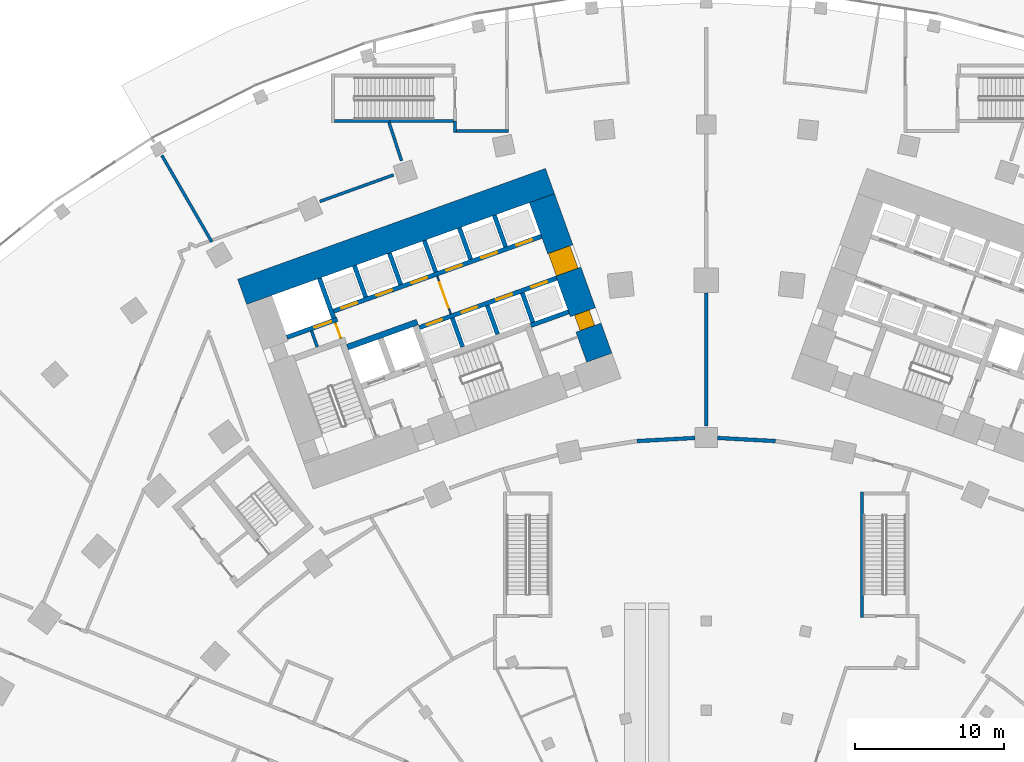
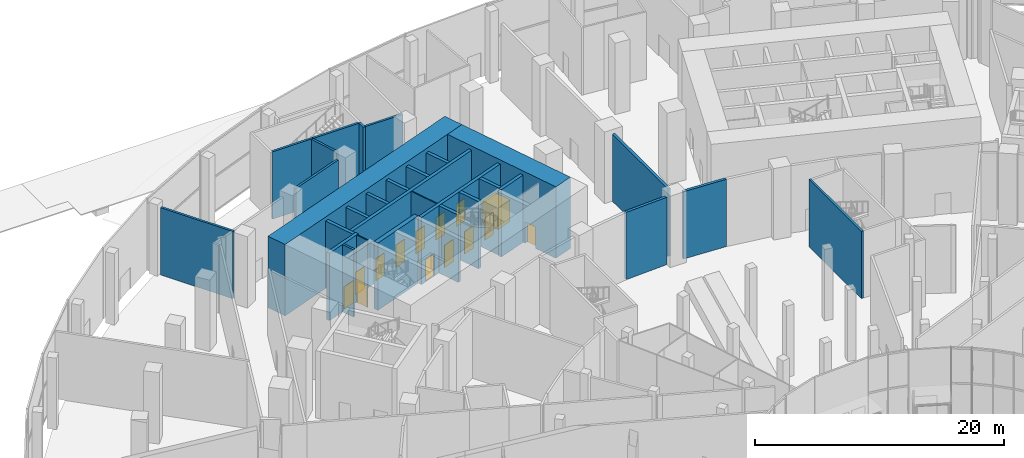
# One storey, part 33 of 60: 30 walls, 15 doors, 15 openings.
"""IFC4 building model written with IfcOpenShell, lengths in metres."""

from ifc_helpers import new_model, si_unit, direction, frame, frame_2d, origin, place, context, subcontext, project, spatial, rectangle, extrude, material, layer, layer_set, type_object, element, fill, save


model = new_model("IFC4")

# Units and contexts
model_context = context("Model", 3, precision=1e-05, world=origin(), true_north=direction((0.0, 1.0)))
body_context = subcontext(model_context, "Body", "Model", "MODEL_VIEW")
ifc_project = project(units=[si_unit("LENGTHUNIT", "METRE"), si_unit("AREAUNIT", "SQUARE_METRE"), si_unit("VOLUMEUNIT", "CUBIC_METRE"), si_unit("PLANEANGLEUNIT", "RADIAN"), si_unit("MASSUNIT", "GRAM", prefix="KILO")], contexts=[model_context])

# Site, building, storey
site_placement = place(None, origin())
site = spatial("IfcSite", under=ifc_project, at=site_placement, CompositionType="ELEMENT")
building_placement = place(site_placement, origin())
building = spatial("IfcBuilding", under=site, at=building_placement, Name="Stone Belt Terrace Tower", CompositionType="ELEMENT")
storey_placement = place(building_placement, origin())
storey = spatial("IfcBuildingStorey", under=building, at=storey_placement, Name="L00", CompositionType="ELEMENT", Elevation=0.0)

# Wall, opening, door
ifc_material_1 = material(Name="Plasterboard partition")
ifc_layer_1 = layer(ifc_material_1, 0.10009765625)
ifc_layer_set_1 = layer_set([ifc_layer_1], Name="Core partition 100")
wall_type_1 = type_object("IfcWallType", Name="Core partition 100", PredefinedType="PARTITIONING", material=ifc_layer_set_1)
wall_1_placement = place(storey_placement, frame((-24.555908203125, 51.10400390625, 0.0), z_axis=(0.0, 0.0, 1.0), x_axis=(-0.338621735342, 0.94092258999, 0.0)))
wall_1 = element("IfcWall", 1, at=wall_1_placement, inside=storey, type_object=wall_type_1, Name="Core A wall", PredefinedType="PARTITIONING", context=body_context, shape_type="SweptSolid", body=[
    extrude(rectangle(XDim=1.14990234375, YDim=0.10009765625, at=frame_2d((0.574951171875, 0.0))), origin(), (0.0, 0.0, 1.0), 6.60009765625),
])
opening_1_placement = place(wall_1_placement, frame((0.050048828125, 0.0, 0.0)))
opening_1 = element("IfcOpeningElement", 2, at=opening_1_placement, cuts=wall_1, Name="Opening L00-C02", PredefinedType="OPENING", context=body_context, shape_type="SweptSolid", body=[
    extrude(rectangle(XDim=1.0, YDim=2.10009765625, at=frame_2d((0.5, 1.050048828125))), frame((0.0, 0.06005859375, 0.0), z_axis=(0.0, -1.0, 0.0), x_axis=(1.0, 0.0, 0.0)), (0.0, 0.0, 1.0), 0.1201171875),
])
ifc_material_2 = material(Name="Timber door leaf", Category="wood")
door_type_1 = type_object("IfcDoorType", Name="Core room door 1000", OperationType="SINGLE_SWING_LEFT", PredefinedType="DOOR", material=ifc_material_2)
door_1_placement = place(opening_1_placement, origin())
door_1 = element("IfcDoor", 3, at=door_1_placement, inside=storey, type_object=door_type_1, Name="Service lift lobby door core A", OperationType="SINGLE_SWING_LEFT", OverallHeight=2.10009765625, OverallWidth=1.0, PredefinedType="DOOR", context=body_context, shape_type="SweptSolid", body=[
    extrude(rectangle(XDim=1.0, YDim=2.10009765625, at=frame_2d((0.5, 1.050048828125))), frame((0.0, 0.02490234375, 0.0), z_axis=(0.0, -1.0, 0.0), x_axis=(1.0, 0.0, 0.0)), (0.0, 0.0, 1.0), 0.050048828125),
])
fill(opening_1, door_1)

wall_2_placement = place(storey_placement, frame((-17.17724609375, 52.749755859375, 0.0), z_axis=(0.0, 0.0, 1.0), x_axis=(-0.338546555931, 0.940949642365, 0.0)))
wall_2 = element("IfcWall", 4, at=wall_2_placement, inside=storey, type_object=wall_type_1, Name="Core A wall", PredefinedType="PARTITIONING", context=body_context, shape_type="SweptSolid", body=[
    extrude(rectangle(XDim=2.699951171875, YDim=0.10009765625, at=frame_2d((1.35009765625, 0.0))), origin(), (0.0, 0.0, 1.0), 6.60009765625),
])
opening_2_placement = place(wall_2_placement, frame((0.449951171875, 0.0, 0.0)))
opening_2 = element("IfcOpeningElement", 5, at=opening_2_placement, cuts=wall_2, Name="Opening L00-C03", PredefinedType="OPENING", context=body_context, shape_type="SweptSolid", body=[
    extrude(rectangle(XDim=1.800048828125, YDim=2.10009765625, at=frame_2d((0.89990234375, 1.050048828125))), frame((0.0, 0.06005859375, 0.0), z_axis=(0.0, -1.0, 0.0), x_axis=(1.0, 0.0, 0.0)), (0.0, 0.0, 1.0), 0.1201171875),
])
ifc_material_3 = material(Name="Glazed aluminium door leaf", Category="aluminium")
door_type_2 = type_object("IfcDoorType", Name="Lift lobby entrance door 1800", OperationType="DOUBLE_DOOR_SINGLE_SWING", PredefinedType="DOOR", material=ifc_material_3)
door_2_placement = place(opening_2_placement, origin())
door_2 = element("IfcDoor", 6, at=door_2_placement, inside=storey, type_object=door_type_2, Name="Lift lobby double door core A", OperationType="DOUBLE_DOOR_SINGLE_SWING", OverallHeight=2.10009765625, OverallWidth=1.800048828125, PredefinedType="DOOR", context=body_context, shape_type="SweptSolid", body=[
    extrude(rectangle(XDim=1.800048828125, YDim=2.10009765625, at=frame_2d((0.89990234375, 1.050048828125))), frame((0.0, 0.02490234375, 0.0), z_axis=(0.0, -1.0, 0.0), x_axis=(1.0, 0.0, 0.0)), (0.0, 0.0, 1.0), 0.050048828125),
])
fill(opening_2, door_2)

# Wall
ifc_material_4 = material(Name="Concrete B80", Category="concrete")
ifc_layer_2 = layer(ifc_material_4, 1.800048828125)
ifc_layer_set_2 = layer_set([ifc_layer_2], Name="Core wall 1800 B80")
wall_type_2 = type_object("IfcWallType", Name="Core wall 1800 B80", PredefinedType="SHEAR", material=ifc_layer_set_2)
wall_3_placement = place(storey_placement, frame((-31.20947265625, 54.23583984375, 0.0), z_axis=(0.0, 0.0, 1.0), x_axis=(0.940922914687, 0.338620833112, 0.0)))
element("IfcWall", 7, at=wall_3_placement, inside=storey, type_object=wall_type_2, Name="Core A wall convex L00", PredefinedType="SHEAR", context=body_context, shape_type="SweptSolid", body=[
    extrude(rectangle(XDim=22.000244140625, YDim=1.800048828125, at=frame_2d((11.0, 0.0))), origin(), (0.0, 0.0, 1.0), 7.0),
])

# Wall, openings, doors
wall_4_placement = place(storey_placement, frame((-7.19091796875, 49.8076171875, 0.0), z_axis=(0.0, 0.0, 1.0), x_axis=(-0.338632255135, 0.940918804033, 0.0)))
wall_4 = element("IfcWall", 8, at=wall_4_placement, inside=storey, type_object=wall_type_2, Name="Core A wall end_b L00", PredefinedType="SHEAR", context=body_context, shape_type="SweptSolid", body=[
    extrude(rectangle(XDim=11.39990234375, YDim=1.800048828125, at=frame_2d((5.699951171875, 0.0))), origin(), (0.0, 0.0, 1.0), 7.0),
])
opening_3_placement = place(wall_4_placement, frame((6.14990234375, 0.0, 0.0)))
opening_3 = element("IfcOpeningElement", 9, at=opening_3_placement, cuts=wall_4, Name="Opening L00-C04", PredefinedType="OPENING", context=body_context, shape_type="SweptSolid", body=[
    extrude(rectangle(XDim=1.60009765625, YDim=2.10009765625, at=frame_2d((0.800048828125, 1.050048828125))), frame((0.0, 0.909912109375, 0.0), z_axis=(0.0, -1.0, 0.0), x_axis=(1.0, 0.0, 0.0)), (0.0, 0.0, 1.0), 1.820068359375),
])
opening_4_placement = place(wall_4_placement, frame((2.14990234375, 0.0, 0.0)))
opening_4 = element("IfcOpeningElement", 10, at=opening_4_placement, cuts=wall_4, Name="Opening L00-C11", PredefinedType="OPENING", context=body_context, shape_type="SweptSolid", body=[
    extrude(rectangle(XDim=1.10009765625, YDim=2.10009765625, at=frame_2d((0.550048828125, 1.050048828125))), frame((0.0, 0.909912109375, 0.0), z_axis=(0.0, -1.0, 0.0), x_axis=(1.0, 0.0, 0.0)), (0.0, 0.0, 1.0), 1.820068359375),
])
door_type_3 = type_object("IfcDoorType", Name="Core room door 1100", OperationType="SINGLE_SWING_LEFT", PredefinedType="DOOR", material=ifc_material_2)
door_3_placement = place(opening_4_placement, origin())
door_3 = element("IfcDoor", 11, at=door_3_placement, inside=storey, type_object=door_type_3, Name="Door to Accessible WC core A", OperationType="SINGLE_SWING_RIGHT", OverallHeight=2.10009765625, OverallWidth=1.10009765625, PredefinedType="DOOR", context=body_context, shape_type="SweptSolid", body=[
    extrude(rectangle(XDim=1.10009765625, YDim=2.10009765625, at=frame_2d((0.550048828125, 1.050048828125))), frame((0.0, 0.60498046875, 0.0), z_axis=(0.0, -1.0, 0.0), x_axis=(1.0, 0.0, 0.0)), (0.0, 0.0, 1.0), 1.050048828125),
])
fill(opening_4, door_3)
door_type_4 = type_object("IfcDoorType", Name="Lift lobby entrance door 1600", OperationType="DOUBLE_DOOR_SINGLE_SWING", PredefinedType="DOOR", material=ifc_material_3)
door_4_placement = place(opening_3_placement, origin())
door_4 = element("IfcDoor", 12, at=door_4_placement, inside=storey, type_object=door_type_4, Name="Lift lobby entrance door core A", OperationType="DOUBLE_DOOR_SINGLE_SWING", OverallHeight=2.10009765625, OverallWidth=1.60009765625, PredefinedType="DOOR", context=body_context, shape_type="SweptSolid", body=[
    extrude(rectangle(XDim=1.60009765625, YDim=2.10009765625, at=frame_2d((0.800048828125, 1.050048828125))), frame((0.0, 0.85498046875, 0.0), z_axis=(0.0, -1.0, 0.0), x_axis=(1.0, 0.0, 0.0)), (0.0, 0.0, 1.0), 1.550048828125),
])
fill(opening_3, door_4)

# Walls
ifc_layer_3 = layer(ifc_material_4, 0.39990234375)
ifc_layer_set_3 = layer_set([ifc_layer_3], Name="Fire-fighting lift shaft wall 400")
wall_type_3 = type_object("IfcWallType", Name="Fire-fighting lift shaft wall 400", PredefinedType="SHEAR", material=ifc_layer_set_3)
wall_5_placement = place(storey_placement, frame((-24.130615234375, 50.512939453125, 0.0), z_axis=(0.0, 0.0, 1.0), x_axis=(0.94091168377, 0.338652038744, 0.0)))
element("IfcWall", 13, at=wall_5_placement, inside=storey, type_object=wall_type_3, Name="Core A wall", PredefinedType="SHEAR", context=body_context, shape_type="SweptSolid", body=[
    extrude(rectangle(XDim=5.000244140625, YDim=0.39990234375, at=frame_2d((2.5, 0.0))), origin(), (0.0, 0.0, 1.0), 6.60009765625),
])
ifc_material_5 = material(Name="Fire-resistant glazing in steel frame", Category="steel")
ifc_layer_4 = layer(ifc_material_5, 0.25)
ifc_layer_set_4 = layer_set([ifc_layer_4], Name="Glazed compartment fire screen 250")
wall_type_4 = type_object("IfcWallType", Name="Glazed compartment fire screen 250", PredefinedType="PARTITIONING", material=ifc_layer_set_4)
wall_6_placement = place(storey_placement, frame((-4.6435546875, 44.2001953125, 0.0), z_axis=(0.0, 0.0, 1.0), x_axis=(0.998555259213, 0.053734479607, 0.0)))
element("IfcWall", 14, at=wall_6_placement, inside=storey, type_object=wall_type_4, Name="Compartment fire screen L00 6", PredefinedType="PARTITIONING", context=body_context, shape_type="SweptSolid", body=[
    extrude(rectangle(XDim=3.880126953125, YDim=0.25, at=frame_2d((1.93994140625, 0.0))), origin(), (0.0, 0.0, 1.0), 6.60009765625),
])
wall_7_placement = place(storey_placement, frame((0.0, 45.215087890625, 0.0), z_axis=(0.0, 0.0, 1.0), x_axis=(0.0, 1.0, 0.0)))
element("IfcWall", 15, at=wall_7_placement, inside=storey, type_object=wall_type_4, Name="Compartment fire screen L00 7", PredefinedType="PARTITIONING", context=body_context, shape_type="SweptSolid", body=[
    extrude(rectangle(XDim=8.93994140625, YDim=0.25, at=frame_2d((4.469970703125, 0.0))), origin(), (0.0, 0.0, 1.0), 6.60009765625),
])
wall_8_placement = place(storey_placement, frame((0.76904296875, 44.40869140625, 0.0), z_axis=(0.0, 0.0, 1.0), x_axis=(0.998555259213, -0.053734479607, 0.0)))
element("IfcWall", 16, at=wall_8_placement, inside=storey, type_object=wall_type_4, Name="Compartment fire screen L00 8", PredefinedType="PARTITIONING", context=body_context, shape_type="SweptSolid", body=[
    extrude(rectangle(XDim=3.880126953125, YDim=0.25, at=frame_2d((1.93994140625, 0.0))), origin(), (0.0, 0.0, 1.0), 6.60009765625),
])

# Wall, opening, door
ifc_layer_5 = layer(ifc_material_4, 0.300048828125)
ifc_layer_set_5 = layer_set([ifc_layer_5], Name="Lift shaft wall 300")
wall_type_5 = type_object("IfcWallType", Name="Lift shaft wall 300", PredefinedType="SHEAR", material=ifc_layer_set_5)
wall_9_placement = place(storey_placement, frame((-28.195068359375, 51.17578125, 0.0), z_axis=(0.0, 0.0, 1.0), x_axis=(0.940901243567, 0.338681044427, 0.0)))
wall_9 = element("IfcWall", 17, at=wall_9_placement, inside=storey, type_object=wall_type_5, Name="Core A wall", PredefinedType="SHEAR", context=body_context, shape_type="SweptSolid", body=[
    extrude(rectangle(XDim=3.599853515625, YDim=0.300048828125, at=frame_2d((1.7998046875, 0.0))), origin(), (0.0, 0.0, 1.0), 6.60009765625),
])
opening_5_placement = place(wall_9_placement, frame((1.969970703125, 0.0, 0.0)))
opening_5 = element("IfcOpeningElement", 18, at=opening_5_placement, cuts=wall_9, Name="Opening L00-LD13", PredefinedType="OPENING", context=body_context, shape_type="SweptSolid", body=[
    extrude(rectangle(XDim=1.199951171875, YDim=2.199951171875, at=frame_2d((0.60009765625, 1.10009765625))), frame((0.0, 0.159912109375, 0.0), z_axis=(0.0, -1.0, 0.0), x_axis=(1.0, 0.0, 0.0)), (0.0, 0.0, 1.0), 0.320068359375),
])
ifc_material_6 = material(Name="Stainless steel door leaf", Category="steel")
door_type_5 = type_object("IfcDoorType", Name="Landing door 1200", OperationType="SLIDING_TO_LEFT", PredefinedType="DOOR", material=ifc_material_6)
door_5_placement = place(opening_5_placement, origin())
door_5 = element("IfcDoor", 19, at=door_5_placement, inside=storey, type_object=door_type_5, Name="Landing door SV1 core A", OperationType="SLIDING_TO_LEFT", OverallHeight=2.199951171875, OverallWidth=1.199951171875, PredefinedType="DOOR", context=body_context, shape_type="SweptSolid", body=[
    extrude(rectangle(XDim=1.199951171875, YDim=2.199951171875, at=frame_2d((0.60009765625, 1.10009765625))), frame((0.0, 0.02490234375, 0.0), z_axis=(0.0, -1.0, 0.0), x_axis=(1.0, 0.0, 0.0)), (0.0, 0.0, 1.0), 0.050048828125),
])
fill(opening_5, door_5)

# Wall
wall_10_placement = place(storey_placement, frame((-25.046875, 52.46826171875, 0.0), z_axis=(0.0, 0.0, 1.0), x_axis=(-0.338549588058, 0.940948551423, 0.0)))
element("IfcWall", 20, at=wall_10_placement, inside=storey, type_object=wall_type_5, Name="Core A wall", PredefinedType="SHEAR", context=body_context, shape_type="SweptSolid", body=[
    extrude(rectangle(XDim=2.849853515625, YDim=0.300048828125, at=frame_2d((1.4248046875, 0.0))), origin(), (0.0, 0.0, 1.0), 6.60009765625),
])

# Wall, openings, doors
wall_11_placement = place(storey_placement, frame((-25.05810546875, 52.9423828125, 0.0), z_axis=(0.0, 0.0, 1.0), x_axis=(0.940918215764, 0.338633889685, 0.0)))
wall_11 = element("IfcWall", 21, at=wall_11_placement, inside=storey, type_object=wall_type_5, Name="Core A wall", PredefinedType="SHEAR", context=body_context, shape_type="SweptSolid", body=[
    extrude(rectangle(XDim=14.850341796875, YDim=0.300048828125, at=frame_2d((7.42529296875, 0.0))), origin(), (0.0, 0.0, 1.0), 6.60009765625),
])
opening_6_placement = place(wall_11_placement, frame((0.570068359375, 0.0, 0.0)))
opening_6 = element("IfcOpeningElement", 22, at=opening_6_placement, cuts=wall_11, Name="Opening L00-LD01", PredefinedType="OPENING", context=body_context, shape_type="SweptSolid", body=[
    extrude(rectangle(XDim=1.10009765625, YDim=2.199951171875, at=frame_2d((0.550048828125, 1.10009765625))), frame((0.0, 0.159912109375, 0.0), z_axis=(0.0, -1.0, 0.0), x_axis=(1.0, 0.0, 0.0)), (0.0, 0.0, 1.0), 0.320068359375),
])
opening_7_placement = place(wall_11_placement, frame((3.070068359375, 0.0, 0.0)))
opening_7 = element("IfcOpeningElement", 23, at=opening_7_placement, cuts=wall_11, Name="Opening L00-LD02", PredefinedType="OPENING", context=body_context, shape_type="SweptSolid", body=[
    extrude(rectangle(XDim=1.10009765625, YDim=2.199951171875, at=frame_2d((0.550048828125, 1.10009765625))), frame((0.0, 0.159912109375, 0.0), z_axis=(0.0, -1.0, 0.0), x_axis=(1.0, 0.0, 0.0)), (0.0, 0.0, 1.0), 0.320068359375),
])
opening_8_placement = place(wall_11_placement, frame((5.570068359375, 0.0, 0.0)))
opening_8 = element("IfcOpeningElement", 24, at=opening_8_placement, cuts=wall_11, Name="Opening L00-LD03", PredefinedType="OPENING", context=body_context, shape_type="SweptSolid", body=[
    extrude(rectangle(XDim=1.10009765625, YDim=2.199951171875, at=frame_2d((0.550048828125, 1.10009765625))), frame((0.0, 0.159912109375, 0.0), z_axis=(0.0, -1.0, 0.0), x_axis=(1.0, 0.0, 0.0)), (0.0, 0.0, 1.0), 0.320068359375),
])
opening_9_placement = place(wall_11_placement, frame((8.070068359375, 0.0, 0.0)))
opening_9 = element("IfcOpeningElement", 25, at=opening_9_placement, cuts=wall_11, Name="Opening L00-LD04", PredefinedType="OPENING", context=body_context, shape_type="SweptSolid", body=[
    extrude(rectangle(XDim=1.10009765625, YDim=2.199951171875, at=frame_2d((0.550048828125, 1.10009765625))), frame((0.0, 0.159912109375, 0.0), z_axis=(0.0, -1.0, 0.0), x_axis=(1.0, 0.0, 0.0)), (0.0, 0.0, 1.0), 0.320068359375),
])
opening_10_placement = place(wall_11_placement, frame((10.570068359375, 0.0, 0.0)))
opening_10 = element("IfcOpeningElement", 26, at=opening_10_placement, cuts=wall_11, Name="Opening L00-LD05", PredefinedType="OPENING", context=body_context, shape_type="SweptSolid", body=[
    extrude(rectangle(XDim=1.10009765625, YDim=2.199951171875, at=frame_2d((0.550048828125, 1.10009765625))), frame((0.0, 0.159912109375, 0.0), z_axis=(0.0, -1.0, 0.0), x_axis=(1.0, 0.0, 0.0)), (0.0, 0.0, 1.0), 0.320068359375),
])
opening_11_placement = place(wall_11_placement, frame((13.070068359375, 0.0, 0.0)))
opening_11 = element("IfcOpeningElement", 27, at=opening_11_placement, cuts=wall_11, Name="Opening L00-LD06", PredefinedType="OPENING", context=body_context, shape_type="SweptSolid", body=[
    extrude(rectangle(XDim=1.10009765625, YDim=2.199951171875, at=frame_2d((0.550048828125, 1.10009765625))), frame((0.0, 0.159912109375, 0.0), z_axis=(0.0, -1.0, 0.0), x_axis=(1.0, 0.0, 0.0)), (0.0, 0.0, 1.0), 0.320068359375),
])
door_type_6 = type_object("IfcDoorType", Name="Landing door 1100", OperationType="SLIDING_TO_LEFT", PredefinedType="DOOR", material=ifc_material_6)
door_6_placement = place(opening_6_placement, origin())
door_6 = element("IfcDoor", 28, at=door_6_placement, inside=storey, type_object=door_type_6, Name="Landing door LR1 core A", OperationType="SLIDING_TO_LEFT", OverallHeight=2.199951171875, OverallWidth=1.10009765625, PredefinedType="DOOR", context=body_context, shape_type="SweptSolid", body=[
    extrude(rectangle(XDim=1.10009765625, YDim=2.199951171875, at=frame_2d((0.550048828125, 1.10009765625))), frame((0.0, 0.02490234375, 0.0), z_axis=(0.0, -1.0, 0.0), x_axis=(1.0, 0.0, 0.0)), (0.0, 0.0, 1.0), 0.050048828125),
])
fill(opening_6, door_6)
door_7_placement = place(opening_7_placement, origin())
door_7 = element("IfcDoor", 29, at=door_7_placement, inside=storey, type_object=door_type_6, Name="Landing door LR2 core A", OperationType="SLIDING_TO_LEFT", OverallHeight=2.199951171875, OverallWidth=1.10009765625, PredefinedType="DOOR", context=body_context, shape_type="SweptSolid", body=[
    extrude(rectangle(XDim=1.10009765625, YDim=2.199951171875, at=frame_2d((0.550048828125, 1.10009765625))), frame((0.0, 0.02490234375, 0.0), z_axis=(0.0, -1.0, 0.0), x_axis=(1.0, 0.0, 0.0)), (0.0, 0.0, 1.0), 0.050048828125),
])
fill(opening_7, door_7)
door_8_placement = place(opening_8_placement, origin())
door_8 = element("IfcDoor", 30, at=door_8_placement, inside=storey, type_object=door_type_6, Name="Landing door LR3 core A", OperationType="SLIDING_TO_LEFT", OverallHeight=2.199951171875, OverallWidth=1.10009765625, PredefinedType="DOOR", context=body_context, shape_type="SweptSolid", body=[
    extrude(rectangle(XDim=1.10009765625, YDim=2.199951171875, at=frame_2d((0.550048828125, 1.10009765625))), frame((0.0, 0.02490234375, 0.0), z_axis=(0.0, -1.0, 0.0), x_axis=(1.0, 0.0, 0.0)), (0.0, 0.0, 1.0), 0.050048828125),
])
fill(opening_8, door_8)
door_9_placement = place(opening_9_placement, origin())
door_9 = element("IfcDoor", 31, at=door_9_placement, inside=storey, type_object=door_type_6, Name="Landing door LR4 core A", OperationType="SLIDING_TO_LEFT", OverallHeight=2.199951171875, OverallWidth=1.10009765625, PredefinedType="DOOR", context=body_context, shape_type="SweptSolid", body=[
    extrude(rectangle(XDim=1.10009765625, YDim=2.199951171875, at=frame_2d((0.550048828125, 1.10009765625))), frame((0.0, 0.02490234375, 0.0), z_axis=(0.0, -1.0, 0.0), x_axis=(1.0, 0.0, 0.0)), (0.0, 0.0, 1.0), 0.050048828125),
])
fill(opening_9, door_9)
door_10_placement = place(opening_10_placement, origin())
door_10 = element("IfcDoor", 32, at=door_10_placement, inside=storey, type_object=door_type_6, Name="Landing door LR5 core A", OperationType="SLIDING_TO_LEFT", OverallHeight=2.199951171875, OverallWidth=1.10009765625, PredefinedType="DOOR", context=body_context, shape_type="SweptSolid", body=[
    extrude(rectangle(XDim=1.10009765625, YDim=2.199951171875, at=frame_2d((0.550048828125, 1.10009765625))), frame((0.0, 0.02490234375, 0.0), z_axis=(0.0, -1.0, 0.0), x_axis=(1.0, 0.0, 0.0)), (0.0, 0.0, 1.0), 0.050048828125),
])
fill(opening_10, door_10)
door_11_placement = place(opening_11_placement, origin())
door_11 = element("IfcDoor", 33, at=door_11_placement, inside=storey, type_object=door_type_6, Name="Landing door LR6 core A", OperationType="SLIDING_TO_LEFT", OverallHeight=2.199951171875, OverallWidth=1.10009765625, PredefinedType="DOOR", context=body_context, shape_type="SweptSolid", body=[
    extrude(rectangle(XDim=1.10009765625, YDim=2.199951171875, at=frame_2d((0.550048828125, 1.10009765625))), frame((0.0, 0.02490234375, 0.0), z_axis=(0.0, -1.0, 0.0), x_axis=(1.0, 0.0, 0.0)), (0.0, 0.0, 1.0), 0.050048828125),
])
fill(opening_11, door_11)

# Wall
wall_12_placement = place(storey_placement, frame((-22.897705078125, 53.87939453125, 0.0), z_axis=(0.0, 0.0, 1.0), x_axis=(-0.338535034312, 0.940953787677, 0.0)))
element("IfcWall", 34, at=wall_12_placement, inside=storey, type_object=wall_type_5, Name="Core A wall", PredefinedType="SHEAR", context=body_context, shape_type="SweptSolid", body=[
    extrude(rectangle(XDim=2.25, YDim=0.300048828125, at=frame_2d((1.125, 0.0))), origin(), (0.0, 0.0, 1.0), 6.60009765625),
])

# Wall, openings, doors
wall_13_placement = place(storey_placement, frame((-19.29052734375, 51.829833984375, 0.0), z_axis=(0.0, 0.0, 1.0), x_axis=(0.940925833398, 0.338612722803, 0.0)))
wall_13 = element("IfcWall", 35, at=wall_13_placement, inside=storey, type_object=wall_type_5, Name="Core A wall", PredefinedType="SHEAR", context=body_context, shape_type="SweptSolid", body=[
    extrude(rectangle(XDim=9.7998046875, YDim=0.300048828125, at=frame_2d((4.89990234375, 0.0))), origin(), (0.0, 0.0, 1.0), 6.60009765625),
])
opening_12_placement = place(wall_13_placement, frame((0.52001953125, 0.0, 0.0)))
opening_12 = element("IfcOpeningElement", 36, at=opening_12_placement, cuts=wall_13, Name="Opening L00-LD09", PredefinedType="OPENING", context=body_context, shape_type="SweptSolid", body=[
    extrude(rectangle(XDim=1.10009765625, YDim=2.199951171875, at=frame_2d((0.550048828125, 1.10009765625))), frame((0.0, 0.159912109375, 0.0), z_axis=(0.0, -1.0, 0.0), x_axis=(1.0, 0.0, 0.0)), (0.0, 0.0, 1.0), 0.320068359375),
])
opening_13_placement = place(wall_13_placement, frame((3.02001953125, 0.0, 0.0)))
opening_13 = element("IfcOpeningElement", 37, at=opening_13_placement, cuts=wall_13, Name="Opening L00-LD10", PredefinedType="OPENING", context=body_context, shape_type="SweptSolid", body=[
    extrude(rectangle(XDim=1.10009765625, YDim=2.199951171875, at=frame_2d((0.550048828125, 1.10009765625))), frame((0.0, 0.159912109375, 0.0), z_axis=(0.0, -1.0, 0.0), x_axis=(1.0, 0.0, 0.0)), (0.0, 0.0, 1.0), 0.320068359375),
])
opening_14_placement = place(wall_13_placement, frame((5.52001953125, 0.0, 0.0)))
opening_14 = element("IfcOpeningElement", 38, at=opening_14_placement, cuts=wall_13, Name="Opening L00-LD11", PredefinedType="OPENING", context=body_context, shape_type="SweptSolid", body=[
    extrude(rectangle(XDim=1.10009765625, YDim=2.199951171875, at=frame_2d((0.550048828125, 1.10009765625))), frame((0.0, 0.159912109375, 0.0), z_axis=(0.0, -1.0, 0.0), x_axis=(1.0, 0.0, 0.0)), (0.0, 0.0, 1.0), 0.320068359375),
])
opening_15_placement = place(wall_13_placement, frame((8.02001953125, 0.0, 0.0)))
opening_15 = element("IfcOpeningElement", 39, at=opening_15_placement, cuts=wall_13, Name="Opening L00-LD12", PredefinedType="OPENING", context=body_context, shape_type="SweptSolid", body=[
    extrude(rectangle(XDim=1.10009765625, YDim=2.199951171875, at=frame_2d((0.550048828125, 1.10009765625))), frame((0.0, 0.159912109375, 0.0), z_axis=(0.0, -1.0, 0.0), x_axis=(1.0, 0.0, 0.0)), (0.0, 0.0, 1.0), 0.320068359375),
])
door_12_placement = place(opening_12_placement, origin())
door_12 = element("IfcDoor", 40, at=door_12_placement, inside=storey, type_object=door_type_6, Name="Landing door SL1 core A", OperationType="SLIDING_TO_LEFT", OverallHeight=2.199951171875, OverallWidth=1.10009765625, PredefinedType="DOOR", context=body_context, shape_type="SweptSolid", body=[
    extrude(rectangle(XDim=1.10009765625, YDim=2.199951171875, at=frame_2d((0.550048828125, 1.10009765625))), frame((0.0, 0.02490234375, 0.0), z_axis=(0.0, -1.0, 0.0), x_axis=(1.0, 0.0, 0.0)), (0.0, 0.0, 1.0), 0.050048828125),
])
fill(opening_12, door_12)
door_13_placement = place(opening_13_placement, origin())
door_13 = element("IfcDoor", 41, at=door_13_placement, inside=storey, type_object=door_type_6, Name="Landing door SL2 core A", OperationType="SLIDING_TO_LEFT", OverallHeight=2.199951171875, OverallWidth=1.10009765625, PredefinedType="DOOR", context=body_context, shape_type="SweptSolid", body=[
    extrude(rectangle(XDim=1.10009765625, YDim=2.199951171875, at=frame_2d((0.550048828125, 1.10009765625))), frame((0.0, 0.02490234375, 0.0), z_axis=(0.0, -1.0, 0.0), x_axis=(1.0, 0.0, 0.0)), (0.0, 0.0, 1.0), 0.050048828125),
])
fill(opening_13, door_13)
door_14_placement = place(opening_14_placement, origin())
door_14 = element("IfcDoor", 42, at=door_14_placement, inside=storey, type_object=door_type_6, Name="Landing door SH1 core A", OperationType="SLIDING_TO_LEFT", OverallHeight=2.199951171875, OverallWidth=1.10009765625, PredefinedType="DOOR", context=body_context, shape_type="SweptSolid", body=[
    extrude(rectangle(XDim=1.10009765625, YDim=2.199951171875, at=frame_2d((0.550048828125, 1.10009765625))), frame((0.0, 0.02490234375, 0.0), z_axis=(0.0, -1.0, 0.0), x_axis=(1.0, 0.0, 0.0)), (0.0, 0.0, 1.0), 0.050048828125),
])
fill(opening_14, door_14)
door_15_placement = place(opening_15_placement, origin())
door_15 = element("IfcDoor", 43, at=door_15_placement, inside=storey, type_object=door_type_6, Name="Landing door OB1 core A", OperationType="SLIDING_TO_LEFT", OverallHeight=2.199951171875, OverallWidth=1.10009765625, PredefinedType="DOOR", context=body_context, shape_type="SweptSolid", body=[
    extrude(rectangle(XDim=1.10009765625, YDim=2.199951171875, at=frame_2d((0.550048828125, 1.10009765625))), frame((0.0, 0.02490234375, 0.0), z_axis=(0.0, -1.0, 0.0), x_axis=(1.0, 0.0, 0.0)), (0.0, 0.0, 1.0), 0.050048828125),
])
fill(opening_15, door_15)

# Walls
wall_14_placement = place(storey_placement, frame((-20.54541015625, 54.72607421875, 0.0), z_axis=(0.0, 0.0, 1.0), x_axis=(-0.338569601369, 0.940941350472, 0.0)))
element("IfcWall", 44, at=wall_14_placement, inside=storey, type_object=wall_type_5, Name="Core A wall", PredefinedType="SHEAR", context=body_context, shape_type="SweptSolid", body=[
    extrude(rectangle(XDim=2.249755859375, YDim=0.300048828125, at=frame_2d((1.125, 0.0))), origin(), (0.0, 0.0, 1.0), 6.60009765625),
])
wall_15_placement = place(storey_placement, frame((-16.38134765625, 50.53857421875, 0.0), z_axis=(0.0, 0.0, 1.0), x_axis=(-0.338681515556, 0.940901073982, 0.0)))
element("IfcWall", 45, at=wall_15_placement, inside=storey, type_object=wall_type_5, Name="Core A wall", PredefinedType="SHEAR", context=body_context, shape_type="SweptSolid", body=[
    extrude(rectangle(XDim=2.050048828125, YDim=0.300048828125, at=frame_2d((1.02490234375, 0.0))), origin(), (0.0, 0.0, 1.0), 6.60009765625),
])
wall_16_placement = place(storey_placement, frame((-18.193115234375, 55.572509765625, 0.0), z_axis=(0.0, 0.0, 1.0), x_axis=(-0.338535034312, 0.940953787677, 0.0)))
element("IfcWall", 46, at=wall_16_placement, inside=storey, type_object=wall_type_5, Name="Core A wall", PredefinedType="SHEAR", context=body_context, shape_type="SweptSolid", body=[
    extrude(rectangle(XDim=2.25, YDim=0.300048828125, at=frame_2d((1.125, 0.0))), origin(), (0.0, 0.0, 1.0), 6.60009765625),
])
wall_17_placement = place(storey_placement, frame((-14.029052734375, 51.38525390625, 0.0), z_axis=(0.0, 0.0, 1.0), x_axis=(-0.338681515556, 0.940901073982, 0.0)))
element("IfcWall", 47, at=wall_17_placement, inside=storey, type_object=wall_type_5, Name="Core A wall", PredefinedType="SHEAR", context=body_context, shape_type="SweptSolid", body=[
    extrude(rectangle(XDim=2.050048828125, YDim=0.300048828125, at=frame_2d((1.02490234375, 0.0))), origin(), (0.0, 0.0, 1.0), 6.60009765625),
])
wall_18_placement = place(storey_placement, frame((-15.8408203125, 56.419189453125, 0.0), z_axis=(0.0, 0.0, 1.0), x_axis=(-0.338569601369, 0.940941350472, 0.0)))
element("IfcWall", 48, at=wall_18_placement, inside=storey, type_object=wall_type_5, Name="Core A wall", PredefinedType="SHEAR", context=body_context, shape_type="SweptSolid", body=[
    extrude(rectangle(XDim=2.249755859375, YDim=0.300048828125, at=frame_2d((1.125, 0.0))), origin(), (0.0, 0.0, 1.0), 6.60009765625),
])
wall_19_placement = place(storey_placement, frame((-11.797119140625, 51.975830078125, 0.0), z_axis=(0.0, 0.0, 1.0), x_axis=(0.940910465161, 0.33865542451, 0.0)))
element("IfcWall", 49, at=wall_19_placement, inside=storey, type_object=wall_type_5, Name="Core A wall", PredefinedType="SHEAR", context=body_context, shape_type="SweptSolid", body=[
    extrude(rectangle(XDim=2.69970703125, YDim=0.300048828125, at=frame_2d((1.349853515625, 0.0))), origin(), (0.0, 0.0, 1.0), 6.60009765625),
])
wall_20_placement = place(storey_placement, frame((-11.659912109375, 52.184814453125, 0.0), z_axis=(0.0, 0.0, 1.0), x_axis=(-0.338670064856, 0.940905195634, 0.0)))
element("IfcWall", 50, at=wall_20_placement, inside=storey, type_object=wall_type_5, Name="Core A wall", PredefinedType="SHEAR", context=body_context, shape_type="SweptSolid", body=[
    extrude(rectangle(XDim=2.099853515625, YDim=0.300048828125, at=frame_2d((1.0498046875, 0.0))), origin(), (0.0, 0.0, 1.0), 6.60009765625),
])
wall_21_placement = place(storey_placement, frame((-13.48828125, 57.265625, 0.0), z_axis=(0.0, 0.0, 1.0), x_axis=(-0.338631098537, 0.940919220286, 0.0)))
element("IfcWall", 51, at=wall_21_placement, inside=storey, type_object=wall_type_5, Name="Core A wall", PredefinedType="SHEAR", context=body_context, shape_type="SweptSolid", body=[
    extrude(rectangle(XDim=2.250244140625, YDim=0.300048828125, at=frame_2d((1.125, 0.0))), origin(), (0.0, 0.0, 1.0), 6.60009765625),
])
ifc_material_7 = material(Name="Blockwork wall, plastered both faces", Category="masonry")
ifc_layer_6 = layer(ifc_material_7, 0.199951171875)
ifc_layer_set_6 = layer_set([ifc_layer_6], Name="Podium demising wall 200")
wall_type_6 = type_object("IfcWallType", Name="Podium demising wall 200", PredefinedType="PARTITIONING", material=ifc_layer_set_6)
wall_22_placement = place(storey_placement, frame((-36.6083984375, 63.408935546875, 0.0), z_axis=(0.0, 0.0, 1.0), x_axis=(0.50006746714, -0.865986448109, 0.0)))
element("IfcWall", 52, at=wall_22_placement, inside=storey, type_object=wall_type_6, Name="Podium demising wall 200", PredefinedType="PARTITIONING", context=body_context, shape_type="SweptSolid", body=[
    extrude(rectangle(XDim=6.71728515625, YDim=0.199951171875, at=frame_2d((3.358642578125, 0.0))), origin(), (0.0, 0.0, 1.0), 6.60009765625),
])
wall_23_placement = place(storey_placement, frame((-25.98876953125, 60.313232421875, 0.0), z_axis=(0.0, 0.0, 1.0), x_axis=(0.94099711715, 0.338414576393, 0.0)))
element("IfcWall", 53, at=wall_23_placement, inside=storey, type_object=wall_type_6, Name="Podium demising wall 200", PredefinedType="PARTITIONING", context=body_context, shape_type="SweptSolid", body=[
    extrude(rectangle(XDim=5.2744140625, YDim=0.199951171875, at=frame_2d((2.63720703125, 0.0))), origin(), (0.0, 0.0, 1.0), 6.60009765625),
])
wall_24_placement = place(storey_placement, frame((-21.329345703125, 65.6259765625, 0.0), z_axis=(0.0, 0.0, 1.0), x_axis=(0.309345127618, -0.950949836752, 0.0)))
element("IfcWall", 54, at=wall_24_placement, inside=storey, type_object=wall_type_6, Name="Podium demising wall 200", PredefinedType="PARTITIONING", context=body_context, shape_type="SweptSolid", body=[
    extrude(rectangle(XDim=2.706298828125, YDim=0.199951171875, at=frame_2d((1.35302734375, 0.0))), origin(), (0.0, 0.0, 1.0), 6.60009765625),
])
ifc_material_8 = material(Name="Fire-rated blockwork wall, plastered both faces", Category="masonry")
ifc_layer_7 = layer(ifc_material_8, 0.199951171875)
ifc_layer_set_7 = layer_set([ifc_layer_7], Name="Podium exit passage wall 200")
wall_type_7 = type_object("IfcWallType", Name="Podium exit passage wall 200", PredefinedType="PARTITIONING", material=ifc_layer_set_7)
wall_25_placement = place(storey_placement, frame((-16.889892578125, 64.949951171875, 0.0), z_axis=(0.0, 0.0, 1.0), x_axis=(0.0, 1.0, 0.0)))
element("IfcWall", 55, at=wall_25_placement, inside=storey, type_object=wall_type_7, Name="Podium exit passage wall 200", PredefinedType="PARTITIONING", context=body_context, shape_type="SweptSolid", body=[
    extrude(rectangle(XDim=0.77001953125, YDim=0.199951171875, at=frame_2d((0.385009765625, 0.0))), origin(), (0.0, 0.0, 1.0), 6.60009765625),
])
wall_26_placement = place(storey_placement, frame((-16.7900390625, 65.050048828125, 0.0), z_axis=(0.0, 0.0, 1.0), x_axis=(1.0, 0.0, 0.0)))
element("IfcWall", 56, at=wall_26_placement, inside=storey, type_object=wall_type_7, Name="Podium exit passage wall 200", PredefinedType="PARTITIONING", context=body_context, shape_type="SweptSolid", body=[
    extrude(rectangle(XDim=3.5, YDim=0.199951171875, at=frame_2d((1.75, 0.0))), origin(), (0.0, 0.0, 1.0), 6.60009765625),
])
ifc_material_9 = material(Name="Concrete B30", Category="concrete")
ifc_layer_8 = layer(ifc_material_9, 0.199951171875)
ifc_layer_set_8 = layer_set([ifc_layer_8], Name="Podium stair and shaft wall 200")
wall_type_8 = type_object("IfcWallType", Name="Podium stair and shaft wall 200", PredefinedType="SOLIDWALL", material=ifc_layer_set_8)
wall_27_placement = place(storey_placement, frame((-25.010009765625, 65.719970703125, 0.0), z_axis=(0.0, 0.0, 1.0), x_axis=(1.0, 0.0, 0.0)))
element("IfcWall", 57, at=wall_27_placement, inside=storey, type_object=wall_type_8, Name="Podium stair and shaft wall 200", PredefinedType="SOLIDWALL", context=body_context, shape_type="SweptSolid", body=[
    extrude(rectangle(XDim=3.755126953125, YDim=0.199951171875, at=frame_2d((1.87744140625, 0.0))), origin(), (0.0, 0.0, 1.0), 6.60009765625),
])
wall_28_placement = place(storey_placement, frame((-21.2548828125, 65.719970703125, 0.0), z_axis=(0.0, 0.0, 1.0), x_axis=(1.0, 0.0, 0.0)))
element("IfcWall", 58, at=wall_28_placement, inside=storey, type_object=wall_type_8, Name="Podium stair and shaft wall 200", PredefinedType="SOLIDWALL", context=body_context, shape_type="SweptSolid", body=[
    extrude(rectangle(XDim=4.264892578125, YDim=0.199951171875, at=frame_2d((2.13232421875, 0.0))), origin(), (0.0, 0.0, 1.0), 6.60009765625),
])
wall_29_placement = place(storey_placement, frame((10.469970703125, 32.340087890625, 0.0), z_axis=(0.0, 0.0, 1.0), x_axis=(0.0, 1.0, 0.0)))
element("IfcWall", 59, at=wall_29_placement, inside=storey, type_object=wall_type_8, Name="Podium stair and shaft wall 200", PredefinedType="SOLIDWALL", context=body_context, shape_type="SweptSolid", body=[
    extrude(rectangle(XDim=8.419921875, YDim=0.199951171875, at=frame_2d((4.2099609375, 0.0))), origin(), (0.0, 0.0, 1.0), 6.60009765625),
])
ifc_material_10 = material(Name="Concrete masonry block", Category="masonry")
ifc_layer_9 = layer(ifc_material_10, 0.199951171875)
ifc_layer_set_9 = layer_set([ifc_layer_9], Name="Rated lobby wall 200")
wall_type_9 = type_object("IfcWallType", Name="Rated lobby wall 200", PredefinedType="PARTITIONING", material=ifc_layer_set_9)
wall_30_placement = place(storey_placement, frame((-26.1552734375, 50.5283203125, 0.0), z_axis=(0.0, 0.0, 1.0), x_axis=(-0.338621735342, 0.94092258999, 0.0)))
element("IfcWall", 60, at=wall_30_placement, inside=storey, type_object=wall_type_9, Name="Core A wall", PredefinedType="PARTITIONING", context=body_context, shape_type="SweptSolid", body=[
    extrude(rectangle(XDim=1.14990234375, YDim=0.199951171875, at=frame_2d((0.574951171875, 0.0))), origin(), (0.0, 0.0, 1.0), 6.60009765625),
])

save(model, "model.ifc")
